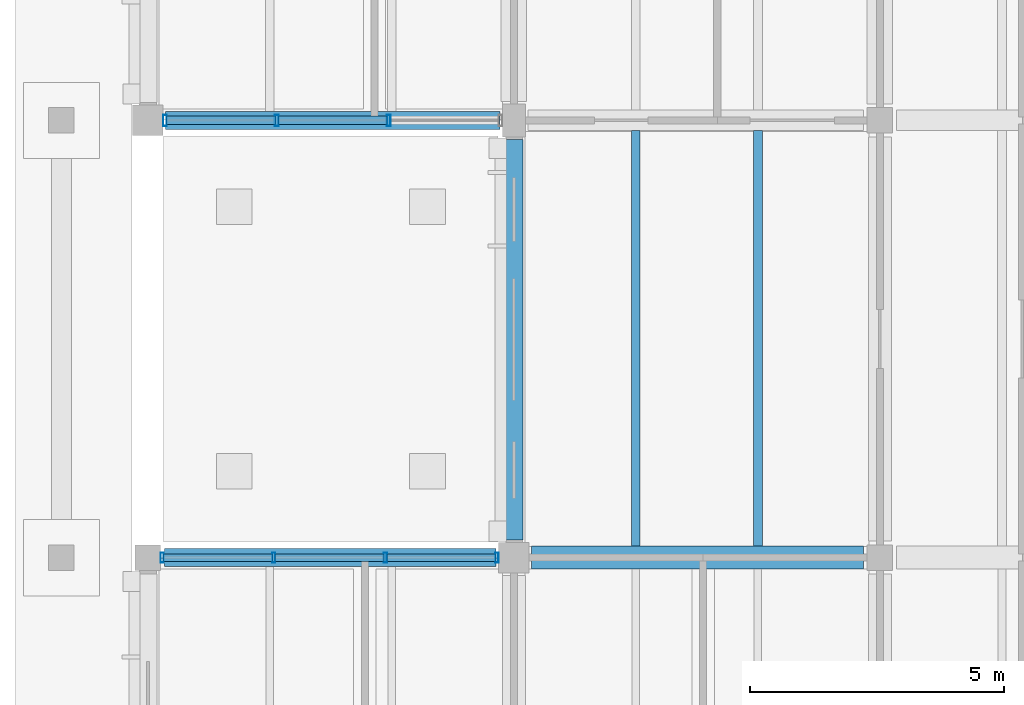
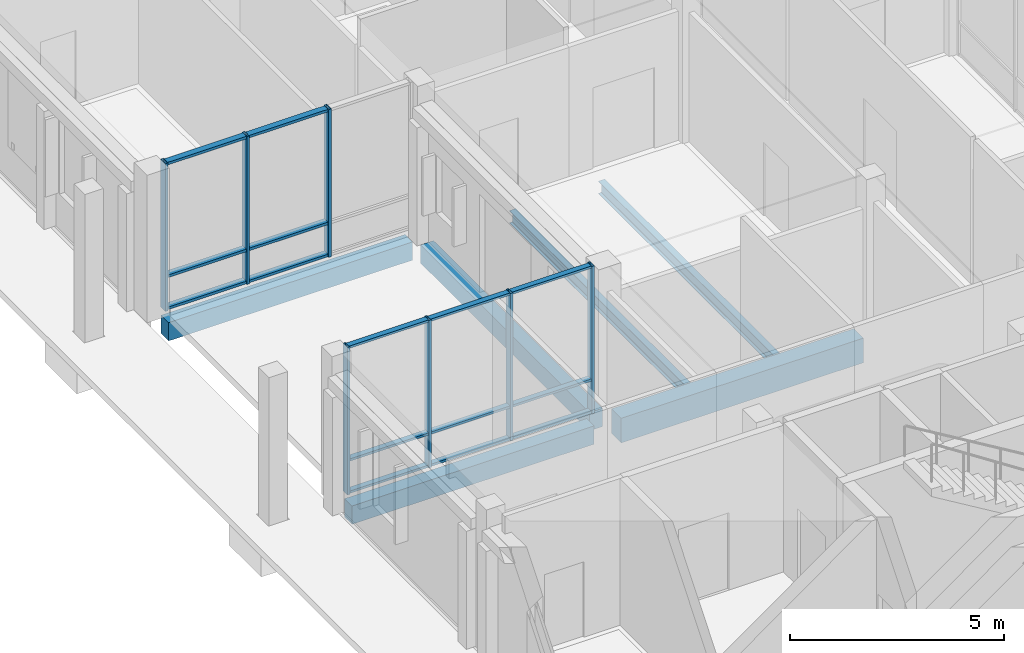
# One storey, part 12 of 104: 22 members, 6 beams, 2 elements without a shape of their own.
"""IFC4 building model written with IfcOpenShell, lengths in metres."""

from ifc_helpers import new_model, si_unit, direction, frame, origin, origin_2d, place, context, subcontext, project, spatial, rectangle, hollow_rectangle, i_section, extrude, material, material_profile, profile_set, type_object, element, aggregate, save


model = new_model("IFC4")

# Units and contexts
model_context = context("Model", 3, precision=1e-05, world=origin(), true_north=direction((0.0, 1.0)))
body_context = subcontext(model_context, "Body", "Model", "MODEL_VIEW")
ifc_project = project(units=[si_unit("LENGTHUNIT", "METRE"), si_unit("AREAUNIT", "SQUARE_METRE"), si_unit("VOLUMEUNIT", "CUBIC_METRE"), si_unit("PLANEANGLEUNIT", "RADIAN"), si_unit("MASSUNIT", "GRAM", prefix="KILO")], contexts=[model_context])

# Site, building, storey
site_placement = place(None, origin())
site = spatial("IfcSite", under=ifc_project, at=site_placement, CompositionType="ELEMENT")
building_placement = place(site_placement, origin())
building = spatial("IfcBuilding", under=site, at=building_placement, Name="Hawrajan Terrace Health Centre", CompositionType="ELEMENT")
storey_placement = place(building_placement, origin())
storey = spatial("IfcBuildingStorey", under=building, at=storey_placement, Name="L00", CompositionType="ELEMENT", Elevation=0.0)

# Curtain wall, members
ifc_material_1 = material(Name="Anodized bronze aluminium and low-E solar glazing", Category="aluminium")
curtain_wall_type_1 = type_object("IfcCurtainWallType", Name="CW_Court_SeriesA1", PredefinedType="USERDEFINED", material=ifc_material_1)
curtain_wall_1_placement = place(storey_placement, origin())
curtain_wall_1 = element("IfcCurtainWall", 1, at=curtain_wall_1_placement, inside=storey, type_object=curtain_wall_type_1, Name="Curtain wall CW-L00-001", ObjectType="UNITISED CURTAIN WALL", PredefinedType="USERDEFINED")
ifc_material_2 = material(Name="Anodized bronze aluminium 6063-T6", Category="aluminium")
ifc_material_profile_1 = material_profile(ifc_material_2, hollow_rectangle(XDim=0.06494140625, YDim=0.199951171875, WallThickness=0.00439453125, at=origin_2d()), Name="CW MUL 65x200")
ifc_profile_set_1 = profile_set([ifc_material_profile_1], Name="Anodized bronze aluminium 6063-T6")
member_type_1 = type_object("IfcMemberType", Name="CWMullion_65x200", PredefinedType="MULLION", material=ifc_profile_set_1)
member_1_placement = place(storey_placement, frame((4.882568359375, 18.60009765625, -0.0048828125), z_axis=(0.0, 0.0, 1.0), x_axis=(1.0, 0.0, 0.0)))
member_1 = element("IfcMember", 2, at=member_1_placement, type_object=member_type_1, Name="Mullion CW-L00-001-M1", PredefinedType="MULLION", context=body_context, shape_type="SweptSolid", body=[
    extrude(hollow_rectangle(XDim=0.06494140625, YDim=0.199951171875, WallThickness=0.00439453125, at=origin_2d()), origin(), (0.0, 0.0, 1.0), 4.2099609375),
])
member_2_placement = place(storey_placement, frame((7.077392578125, 18.60009765625, -0.0048828125), z_axis=(0.0, 0.0, 1.0), x_axis=(1.0, 0.0, 0.0)))
member_2 = element("IfcMember", 3, at=member_2_placement, type_object=member_type_1, Name="Mullion CW-L00-001-M2", PredefinedType="MULLION", context=body_context, shape_type="SweptSolid", body=[
    extrude(hollow_rectangle(XDim=0.06494140625, YDim=0.199951171875, WallThickness=0.00439453125, at=origin_2d()), origin(), (0.0, 0.0, 1.0), 4.2099609375),
])
member_3_placement = place(storey_placement, frame((9.2724609375, 18.60009765625, -0.0048828125), z_axis=(0.0, 0.0, 1.0), x_axis=(1.0, 0.0, 0.0)))
member_3 = element("IfcMember", 4, at=member_3_placement, type_object=member_type_1, Name="Mullion CW-L00-001-M3", PredefinedType="MULLION", context=body_context, shape_type="SweptSolid", body=[
    extrude(hollow_rectangle(XDim=0.06494140625, YDim=0.199951171875, WallThickness=0.00439453125, at=origin_2d()), origin(), (0.0, 0.0, 1.0), 4.2099609375),
])
member_4_placement = place(storey_placement, frame((11.467529296875, 18.60009765625, -0.0048828125), z_axis=(0.0, 0.0, 1.0), x_axis=(1.0, 0.0, 0.0)))
member_4 = element("IfcMember", 5, at=member_4_placement, type_object=member_type_1, Name="Mullion CW-L00-001-M4", PredefinedType="MULLION", context=body_context, shape_type="SweptSolid", body=[
    extrude(hollow_rectangle(XDim=0.06494140625, YDim=0.199951171875, WallThickness=0.00439453125, at=origin_2d()), origin(), (0.0, 0.0, 1.0), 4.2099609375),
])

curtain_wall_type_2 = type_object("IfcCurtainWallType", Name="CW_Court_SeriesA2", PredefinedType="USERDEFINED", material=ifc_material_1)
curtain_wall_2_placement = place(storey_placement, origin())
curtain_wall_2 = element("IfcCurtainWall", 6, at=curtain_wall_2_placement, inside=storey, type_object=curtain_wall_type_2, Name="Curtain wall CW-L00-002", ObjectType="UNITISED CURTAIN WALL", PredefinedType="USERDEFINED")
ifc_material_profile_2 = material_profile(ifc_material_2, hollow_rectangle(XDim=0.074951171875, YDim=0.219970703125, WallThickness=0.0048828125, at=origin_2d()), Name="CW MUL 75x220")
ifc_profile_set_2 = profile_set([ifc_material_profile_2], Name="Anodized bronze aluminium 6063-T6")
member_type_2 = type_object("IfcMemberType", Name="CWMullion_75x220", PredefinedType="MULLION", material=ifc_profile_set_2)
member_5_placement = place(storey_placement, frame((4.9375, 27.199951171875, -0.0048828125), z_axis=(0.0, 0.0, 1.0), x_axis=(1.0, 0.0, 0.0)))
member_5 = element("IfcMember", 7, at=member_5_placement, type_object=member_type_2, Name="Mullion CW-L00-002-M1", PredefinedType="MULLION", context=body_context, shape_type="SweptSolid", body=[
    extrude(hollow_rectangle(XDim=0.074951171875, YDim=0.219970703125, WallThickness=0.0048828125, at=origin_2d()), origin(), (0.0, 0.0, 1.0), 4.2099609375),
])
member_6_placement = place(storey_placement, frame((7.137451171875, 27.199951171875, -0.0048828125), z_axis=(0.0, 0.0, 1.0), x_axis=(1.0, 0.0, 0.0)))
member_6 = element("IfcMember", 8, at=member_6_placement, type_object=member_type_2, Name="Mullion CW-L00-002-M2", PredefinedType="MULLION", context=body_context, shape_type="SweptSolid", body=[
    extrude(hollow_rectangle(XDim=0.074951171875, YDim=0.219970703125, WallThickness=0.0048828125, at=origin_2d()), origin(), (0.0, 0.0, 1.0), 4.2099609375),
])
member_7_placement = place(storey_placement, frame((9.33740234375, 27.199951171875, -0.0048828125), z_axis=(0.0, 0.0, 1.0), x_axis=(1.0, 0.0, 0.0)))
member_7 = element("IfcMember", 9, at=member_7_placement, type_object=member_type_2, Name="Mullion CW-L00-002-M3", PredefinedType="MULLION", context=body_context, shape_type="SweptSolid", body=[
    extrude(hollow_rectangle(XDim=0.074951171875, YDim=0.219970703125, WallThickness=0.0048828125, at=origin_2d()), origin(), (0.0, 0.0, 1.0), 4.2099609375),
])

# Member
ifc_material_profile_3 = material_profile(ifc_material_2, hollow_rectangle(XDim=0.06494140625, YDim=0.14990234375, WallThickness=0.00390625, at=origin_2d()), Name="CW TRN 65x150")
ifc_profile_set_3 = profile_set([ifc_material_profile_3], Name="Anodized bronze aluminium 6063-T6")
member_type_3 = type_object("IfcMemberType", Name="CWTransom_65x150", PredefinedType="USERDEFINED", material=ifc_profile_set_3)
member_8_placement = place(storey_placement, frame((4.908935546875, 18.60009765625, 0.032470703125), z_axis=(1.0, 0.0, 0.0), x_axis=(0.0, 0.0, 1.0)))
member_8 = element("IfcMember", 10, at=member_8_placement, type_object=member_type_3, Name="Transom CW-L00-001-T1-1", ObjectType="TRANSOM", PredefinedType="USERDEFINED", context=body_context, shape_type="SweptSolid", body=[
    extrude(hollow_rectangle(XDim=0.06494140625, YDim=0.14990234375, WallThickness=0.00390625, at=origin_2d()), origin(), (0.0, 0.0, 1.0), 2.14208984375),
])

member_9_placement = place(storey_placement, frame((4.908935546875, 18.60009765625, 0.949951171875), z_axis=(1.0, 0.0, 0.0), x_axis=(0.0, 0.0, 1.0)))
member_9 = element("IfcMember", 11, at=member_9_placement, type_object=member_type_3, Name="Transom CW-L00-001-T1-2", ObjectType="TRANSOM", PredefinedType="USERDEFINED", context=body_context, shape_type="SweptSolid", body=[
    extrude(hollow_rectangle(XDim=0.06494140625, YDim=0.14990234375, WallThickness=0.00390625, at=origin_2d()), origin(), (0.0, 0.0, 1.0), 2.14208984375),
])

member_10_placement = place(storey_placement, frame((4.908935546875, 18.60009765625, 4.16748046875), z_axis=(1.0, 0.0, 0.0), x_axis=(0.0, 0.0, 1.0)))
member_10 = element("IfcMember", 12, at=member_10_placement, type_object=member_type_3, Name="Transom CW-L00-001-T1-3", ObjectType="TRANSOM", PredefinedType="USERDEFINED", context=body_context, shape_type="SweptSolid", body=[
    extrude(hollow_rectangle(XDim=0.06494140625, YDim=0.14990234375, WallThickness=0.00390625, at=origin_2d()), origin(), (0.0, 0.0, 1.0), 2.14208984375),
])

member_11_placement = place(storey_placement, frame((7.10400390625, 18.60009765625, 0.032470703125), z_axis=(1.0, 0.0, 0.0), x_axis=(0.0, 0.0, 1.0)))
member_11 = element("IfcMember", 13, at=member_11_placement, type_object=member_type_3, Name="Transom CW-L00-001-T2-1", ObjectType="TRANSOM", PredefinedType="USERDEFINED", context=body_context, shape_type="SweptSolid", body=[
    extrude(hollow_rectangle(XDim=0.06494140625, YDim=0.14990234375, WallThickness=0.00390625, at=origin_2d()), origin(), (0.0, 0.0, 1.0), 2.14208984375),
])

member_12_placement = place(storey_placement, frame((7.10400390625, 18.60009765625, 0.949951171875), z_axis=(1.0, 0.0, 0.0), x_axis=(0.0, 0.0, 1.0)))
member_12 = element("IfcMember", 14, at=member_12_placement, type_object=member_type_3, Name="Transom CW-L00-001-T2-2", ObjectType="TRANSOM", PredefinedType="USERDEFINED", context=body_context, shape_type="SweptSolid", body=[
    extrude(hollow_rectangle(XDim=0.06494140625, YDim=0.14990234375, WallThickness=0.00390625, at=origin_2d()), origin(), (0.0, 0.0, 1.0), 2.14208984375),
])

member_13_placement = place(storey_placement, frame((7.10400390625, 18.60009765625, 4.16748046875), z_axis=(1.0, 0.0, 0.0), x_axis=(0.0, 0.0, 1.0)))
member_13 = element("IfcMember", 15, at=member_13_placement, type_object=member_type_3, Name="Transom CW-L00-001-T2-3", ObjectType="TRANSOM", PredefinedType="USERDEFINED", context=body_context, shape_type="SweptSolid", body=[
    extrude(hollow_rectangle(XDim=0.06494140625, YDim=0.14990234375, WallThickness=0.00390625, at=origin_2d()), origin(), (0.0, 0.0, 1.0), 2.14208984375),
])

member_14_placement = place(storey_placement, frame((9.299072265625, 18.60009765625, 0.032470703125), z_axis=(1.0, 0.0, 0.0), x_axis=(0.0, 0.0, 1.0)))
member_14 = element("IfcMember", 16, at=member_14_placement, type_object=member_type_3, Name="Transom CW-L00-001-T3-1", ObjectType="TRANSOM", PredefinedType="USERDEFINED", context=body_context, shape_type="SweptSolid", body=[
    extrude(hollow_rectangle(XDim=0.06494140625, YDim=0.14990234375, WallThickness=0.00390625, at=origin_2d()), origin(), (0.0, 0.0, 1.0), 2.141845703125),
])

member_15_placement = place(storey_placement, frame((9.299072265625, 18.60009765625, 0.949951171875), z_axis=(1.0, 0.0, 0.0), x_axis=(0.0, 0.0, 1.0)))
member_15 = element("IfcMember", 17, at=member_15_placement, type_object=member_type_3, Name="Transom CW-L00-001-T3-2", ObjectType="TRANSOM", PredefinedType="USERDEFINED", context=body_context, shape_type="SweptSolid", body=[
    extrude(hollow_rectangle(XDim=0.06494140625, YDim=0.14990234375, WallThickness=0.00390625, at=origin_2d()), origin(), (0.0, 0.0, 1.0), 2.141845703125),
])

member_16_placement = place(storey_placement, frame((9.299072265625, 18.60009765625, 4.16748046875), z_axis=(1.0, 0.0, 0.0), x_axis=(0.0, 0.0, 1.0)))
member_16 = element("IfcMember", 18, at=member_16_placement, type_object=member_type_3, Name="Transom CW-L00-001-T3-3", ObjectType="TRANSOM", PredefinedType="USERDEFINED", context=body_context, shape_type="SweptSolid", body=[
    extrude(hollow_rectangle(XDim=0.06494140625, YDim=0.14990234375, WallThickness=0.00390625, at=origin_2d()), origin(), (0.0, 0.0, 1.0), 2.141845703125),
])

aggregate(curtain_wall_1, [member_1, member_2, member_3, member_4, member_8, member_9, member_10, member_11, member_12, member_13, member_14, member_15, member_16])

ifc_material_profile_4 = material_profile(ifc_material_2, hollow_rectangle(XDim=0.074951171875, YDim=0.169921875, WallThickness=0.00439453125, at=origin_2d()), Name="CW TRN 75x170")
ifc_profile_set_4 = profile_set([ifc_material_profile_4], Name="Anodized bronze aluminium 6063-T6")
member_type_4 = type_object("IfcMemberType", Name="CWTransom_75x170", PredefinedType="USERDEFINED", material=ifc_profile_set_4)
member_17_placement = place(storey_placement, frame((4.968994140625, 27.199951171875, 0.03759765625), z_axis=(1.0, 0.0, 0.0), x_axis=(0.0, 0.0, 1.0)))
member_17 = element("IfcMember", 19, at=member_17_placement, type_object=member_type_4, Name="Transom CW-L00-002-T1-1", ObjectType="TRANSOM", PredefinedType="USERDEFINED", context=body_context, shape_type="SweptSolid", body=[
    extrude(hollow_rectangle(XDim=0.074951171875, YDim=0.169921875, WallThickness=0.00439453125, at=origin_2d()), origin(), (0.0, 0.0, 1.0), 2.136962890625),
])

member_18_placement = place(storey_placement, frame((4.968994140625, 27.199951171875, 0.949951171875), z_axis=(1.0, 0.0, 0.0), x_axis=(0.0, 0.0, 1.0)))
member_18 = element("IfcMember", 20, at=member_18_placement, type_object=member_type_4, Name="Transom CW-L00-002-T1-2", ObjectType="TRANSOM", PredefinedType="USERDEFINED", context=body_context, shape_type="SweptSolid", body=[
    extrude(hollow_rectangle(XDim=0.074951171875, YDim=0.169921875, WallThickness=0.00439453125, at=origin_2d()), origin(), (0.0, 0.0, 1.0), 2.136962890625),
])

member_19_placement = place(storey_placement, frame((4.968994140625, 27.199951171875, 4.16259765625), z_axis=(1.0, 0.0, 0.0), x_axis=(0.0, 0.0, 1.0)))
member_19 = element("IfcMember", 21, at=member_19_placement, type_object=member_type_4, Name="Transom CW-L00-002-T1-3", ObjectType="TRANSOM", PredefinedType="USERDEFINED", context=body_context, shape_type="SweptSolid", body=[
    extrude(hollow_rectangle(XDim=0.074951171875, YDim=0.169921875, WallThickness=0.00439453125, at=origin_2d()), origin(), (0.0, 0.0, 1.0), 2.136962890625),
])

member_20_placement = place(storey_placement, frame((7.1689453125, 27.199951171875, 0.03759765625), z_axis=(1.0, 0.0, 0.0), x_axis=(0.0, 0.0, 1.0)))
member_20 = element("IfcMember", 22, at=member_20_placement, type_object=member_type_4, Name="Transom CW-L00-002-T2-1", ObjectType="TRANSOM", PredefinedType="USERDEFINED", context=body_context, shape_type="SweptSolid", body=[
    extrude(hollow_rectangle(XDim=0.074951171875, YDim=0.169921875, WallThickness=0.00439453125, at=origin_2d()), origin(), (0.0, 0.0, 1.0), 2.136962890625),
])

member_21_placement = place(storey_placement, frame((7.1689453125, 27.199951171875, 0.949951171875), z_axis=(1.0, 0.0, 0.0), x_axis=(0.0, 0.0, 1.0)))
member_21 = element("IfcMember", 23, at=member_21_placement, type_object=member_type_4, Name="Transom CW-L00-002-T2-2", ObjectType="TRANSOM", PredefinedType="USERDEFINED", context=body_context, shape_type="SweptSolid", body=[
    extrude(hollow_rectangle(XDim=0.074951171875, YDim=0.169921875, WallThickness=0.00439453125, at=origin_2d()), origin(), (0.0, 0.0, 1.0), 2.136962890625),
])

member_22_placement = place(storey_placement, frame((7.1689453125, 27.199951171875, 4.16259765625), z_axis=(1.0, 0.0, 0.0), x_axis=(0.0, 0.0, 1.0)))
member_22 = element("IfcMember", 24, at=member_22_placement, type_object=member_type_4, Name="Transom CW-L00-002-T2-3", ObjectType="TRANSOM", PredefinedType="USERDEFINED", context=body_context, shape_type="SweptSolid", body=[
    extrude(hollow_rectangle(XDim=0.074951171875, YDim=0.169921875, WallThickness=0.00439453125, at=origin_2d()), origin(), (0.0, 0.0, 1.0), 2.136962890625),
])

aggregate(curtain_wall_2, [member_5, member_6, member_7, member_17, member_18, member_19, member_20, member_21, member_22])

# Beams
ifc_material_3 = material(Name="Concrete C40/50", Category="concrete")
ifc_material_profile_5 = material_profile(ifc_material_3, rectangle(XDim=0.449951171875, YDim=0.699951171875, at=origin_2d()), Name="RC BM 450x700")
ifc_profile_set_5 = profile_set([ifc_material_profile_5], Name="Concrete C40/50")
beam_type_1 = type_object("IfcBeamType", Name="RCGirder_450x700", PredefinedType="BEAM", material=ifc_profile_set_5)
beam_1_placement = place(storey_placement, frame((12.14990234375, 18.60009765625, -0.64990234375), z_axis=(1.0, 0.0, 0.0), x_axis=(0.0, 1.0, 0.0)))
element("IfcBeam", 25, at=beam_1_placement, inside=storey, type_object=beam_type_1, Name="Beam BM-X-L00-W-02-Y3", PredefinedType="BEAM", context=body_context, shape_type="SweptSolid", body=[
    extrude(rectangle(XDim=0.449951171875, YDim=0.699951171875, at=origin_2d()), origin(), (0.0, 0.0, 1.0), 6.525146484375),
])
ifc_material_profile_6 = material_profile(ifc_material_3, rectangle(XDim=0.35009765625, YDim=0.52001953125, at=origin_2d()), Name="RC SP 350x520")
ifc_profile_set_6 = profile_set([ifc_material_profile_6], Name="Concrete C40/50")
beam_type_2 = type_object("IfcBeamType", Name="RCSpandrel_350x520", PredefinedType="SPANDREL", material=ifc_profile_set_6)
beam_2_placement = place(storey_placement, frame((4.925048828125, 18.60009765625, -0.56005859375), z_axis=(1.0, 0.0, 0.0), x_axis=(0.0, 1.0, 0.0)))
element("IfcBeam", 26, at=beam_2_placement, inside=storey, type_object=beam_type_2, Name="Beam BM-X-L00-W-01-Y3", PredefinedType="SPANDREL", context=body_context, shape_type="SweptSolid", body=[
    extrude(rectangle(XDim=0.35009765625, YDim=0.52001953125, at=origin_2d()), origin(), (0.0, 0.0, 1.0), 6.52490234375),
])
beam_3_placement = place(storey_placement, frame((4.949951171875, 27.199951171875, -0.56005859375), z_axis=(1.0, 0.0, 0.0), x_axis=(0.0, 1.0, 0.0)))
element("IfcBeam", 27, at=beam_3_placement, inside=storey, type_object=beam_type_2, Name="Beam BM-X-L00-W-01-Y4", PredefinedType="SPANDREL", context=body_context, shape_type="SweptSolid", body=[
    extrude(rectangle(XDim=0.35009765625, YDim=0.52001953125, at=origin_2d()), origin(), (0.0, 0.0, 1.0), 6.574951171875),
])
beam_4_placement = place(storey_placement, frame((11.800048828125, 18.949951171875, -0.56005859375), z_axis=(0.0, 1.0, 0.0), x_axis=(-1.0, 0.0, 0.0)))
element("IfcBeam", 28, at=beam_4_placement, inside=storey, type_object=beam_type_2, Name="Beam BM-Y-L00-W-X02-3", PredefinedType="SPANDREL", context=body_context, shape_type="SweptSolid", body=[
    extrude(rectangle(XDim=0.35009765625, YDim=0.52001953125, at=origin_2d()), origin(), (0.0, 0.0, 1.0), 7.875),
])
ifc_material_4 = material(Name="Steel S355", Category="steel")
ifc_material_profile_7 = material_profile(ifc_material_4, i_section(OverallWidth=0.169921875, OverallDepth=0.360107421875, WebThickness=0.008056640625, FlangeThickness=0.0126953125, FilletRadius=0.01806640625, at=origin_2d()), Name="IPE 360")
ifc_profile_set_7 = profile_set([ifc_material_profile_7], Name="Steel S355")
beam_type_3 = type_object("IfcBeamType", Name="SteelBeam_IPE360", PredefinedType="BEAM", material=ifc_profile_set_7)
for number, where, z_axis, x_axis, name in (
    (29, (14.199951171875, 18.824951171875, -0.47998046875), (0.0, 1.0, 0.0), (-1.0, 0.0, 0.0), "Secondary joist JST-L00-W-02-3-1"),
    (30, (16.60009765625, 18.824951171875, -0.47998046875), (0.0, 1.0, 0.0), (-1.0, 0.0, 0.0), "Secondary joist JST-L00-W-02-3-2"),
):
    element("IfcBeam", number, at=place(storey_placement, frame(where, z_axis=z_axis, x_axis=x_axis)), inside=storey, type_object=beam_type_3, Name=name, PredefinedType="BEAM", context=body_context, shape_type="SweptSolid", body=[
        extrude(i_section(OverallWidth=0.169921875, OverallDepth=0.360107421875, WebThickness=0.008056640625, FlangeThickness=0.0126953125, FilletRadius=0.01806640625, at=origin_2d()), origin(), (0.0, 0.0, 1.0), 8.175048828125),
    ])

save(model, "model.ifc")
